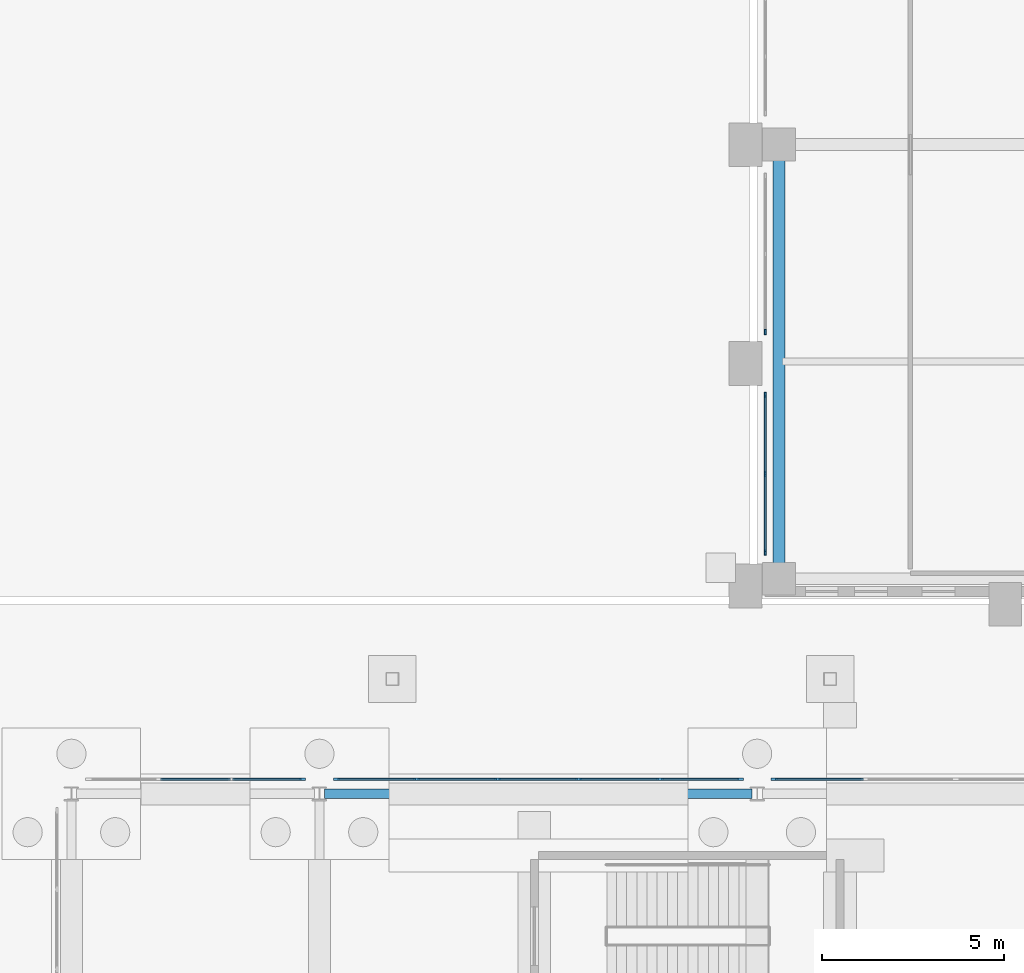
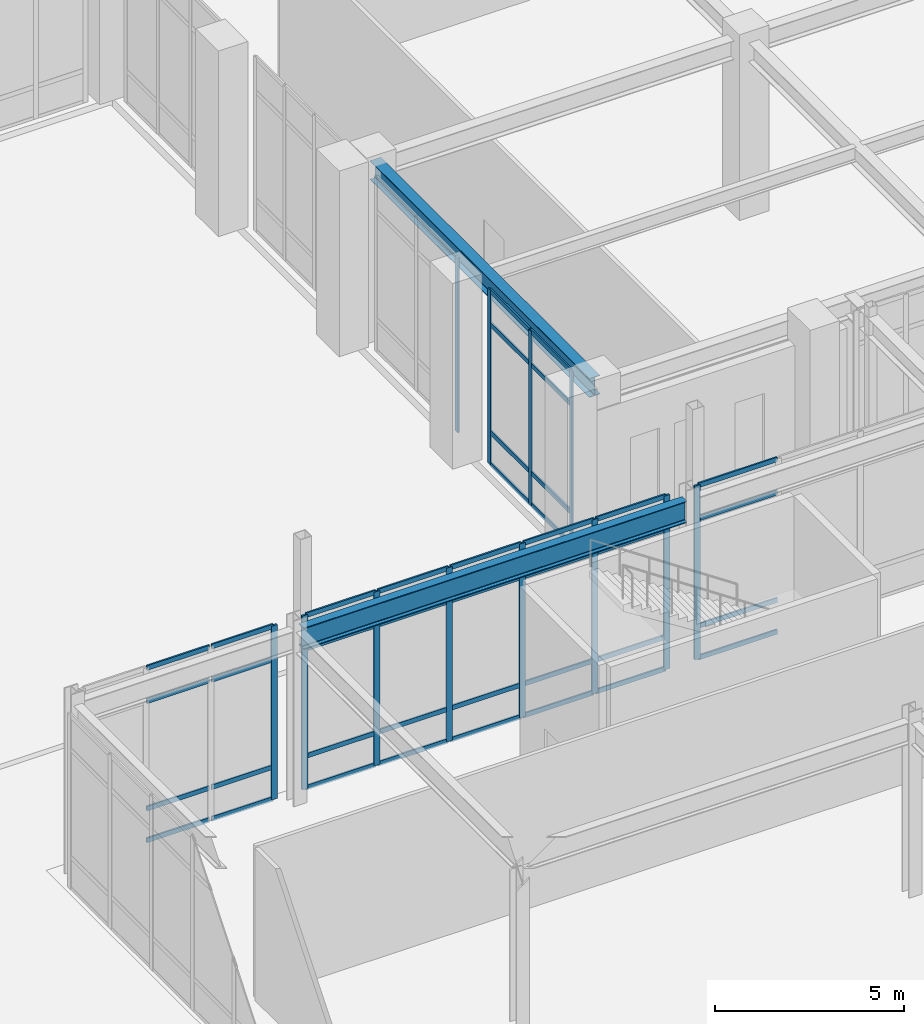
# One storey, part 68 of 143: 52 members, 2 beams, 5 elements without a shape of their own.
"""IFC4 building model written with IfcOpenShell, lengths in metres."""

from ifc_helpers import new_model, si_unit, derived_unit, direction, frame, origin, origin_2d, place, context, subcontext, project, spatial, rectangle, i_section, extrude, material, layer, layer_set, material_profile, profile_set, type_object, element, aggregate, save


model = new_model("IFC4")

# Units and contexts
model_context = context("Model", 3, precision=1e-05, world=origin(), true_north=direction((0.0, 1.0)))
body_context = subcontext(model_context, "Body", "Model", "MODEL_VIEW")
ifc_project = project(units=[si_unit("LENGTHUNIT", "METRE"), si_unit("AREAUNIT", "SQUARE_METRE"), si_unit("VOLUMEUNIT", "CUBIC_METRE"), si_unit("PLANEANGLEUNIT", "RADIAN"), si_unit("MASSUNIT", "GRAM", prefix="KILO"), derived_unit("THERMALTRANSMITTANCEUNIT", [(si_unit("MASSUNIT", "GRAM", prefix="KILO"), 1), (si_unit("TIMEUNIT", "SECOND"), -3), (si_unit("THERMODYNAMICTEMPERATUREUNIT", "KELVIN"), -1)])], contexts=[model_context])

# Site, building, storey
site_placement = place(None, origin())
site = spatial("IfcSite", under=ifc_project, at=site_placement, CompositionType="ELEMENT")
building_placement = place(site_placement, origin())
building = spatial("IfcBuilding", under=site, at=building_placement, Name="Valcora Ridge Arena", CompositionType="ELEMENT")
storey_placement = place(building_placement, origin())
storey = spatial("IfcBuildingStorey", under=building, at=storey_placement, Name="L00", CompositionType="ELEMENT", Elevation=0.0)

# Beams
ifc_material_1 = material(Name="Steel ASTM A572 Grade 50", Category="steel")
ifc_material_profile_1 = material_profile(ifc_material_1, i_section(OverallWidth=0.324951171875, OverallDepth=0.612060546875, WebThickness=0.0126953125, FlangeThickness=0.01904296875, FilletRadius=0.01806640625, at=origin_2d()), Name="W24X104")
ifc_profile_set_1 = profile_set([ifc_material_profile_1], Name="Steel ASTM A572 Grade 50")
beam_type_1 = type_object("IfcBeamType", Name="TY-BEAM-G-W24X104-Y", PredefinedType="BEAM", material=ifc_profile_set_1)
beam_1_placement = place(storey_placement, frame((156.60009765625, 83.840087890625, 5.333984375), z_axis=(0.0, 1.0, 0.0), x_axis=(-1.0, 0.0, 0.0)))
element("IfcBeam", 1, at=beam_1_placement, inside=storey, type_object=beam_type_1, Name="G-W24X104-Y BEM-G-W24X104-Y-0024", PredefinedType="BEAM", context=body_context, shape_type="SweptSolid", body=[
    extrude(i_section(OverallWidth=0.324951171875, OverallDepth=0.612060546875, WebThickness=0.0126953125, FlangeThickness=0.01904296875, FilletRadius=0.01806640625, at=origin_2d()), origin(), (0.0, 0.0, 1.0), 11.619873046875),
])
ifc_material_profile_2 = material_profile(ifc_material_1, i_section(OverallWidth=0.256103515625, OverallDepth=0.693115234375, WebThickness=0.014404296875, FlangeThickness=0.023681640625, FilletRadius=0.02001953125, at=origin_2d()), Name="W27X114")
ifc_profile_set_2 = profile_set([ifc_material_profile_2], Name="Steel ASTM A572 Grade 50")
beam_type_2 = type_object("IfcBeamType", Name="TY-BEAM-SP-W27X114", PredefinedType="SPANDREL", material=ifc_profile_set_2)
beam_2_placement = place(storey_placement, frame((144.139892578125, 77.800048828125, 5.2734375), z_axis=(1.0, 0.0, 0.0), x_axis=(0.0, 1.0, 0.0)))
element("IfcBeam", 2, at=beam_2_placement, inside=storey, type_object=beam_type_2, Name="SP-W27X114 BEM-SP-W27X114-0007", PredefinedType="SPANDREL", context=body_context, shape_type="SweptSolid", body=[
    extrude(i_section(OverallWidth=0.256103515625, OverallDepth=0.693115234375, WebThickness=0.014404296875, FlangeThickness=0.023681640625, FilletRadius=0.02001953125, at=origin_2d()), origin(), (0.0, 0.0, 1.0), 11.72021484375),
])

# Curtain wall, members
ifc_material_2 = material(Name="Anodised dark bronze architectural aluminium 6063-T6", Category="aluminium")
ifc_layer_1 = layer(ifc_material_2, 0.14990234375, Name="Anodised dark bronze architectural aluminium 6063-T6")
ifc_layer_set_1 = layer_set([ifc_layer_1], Name="Anodised dark bronze architectural aluminium 6063-T6")
curtain_wall_type_1 = type_object("IfcCurtainWallType", Name="TY-CURTAINWALL-CW-V5-MED-044X56", PredefinedType="NOTDEFINED", material=ifc_layer_set_1)
curtain_wall_1_placement = place(storey_placement, origin())
curtain_wall_1 = element("IfcCurtainWall", 3, at=curtain_wall_1_placement, inside=storey, type_object=curtain_wall_type_1, Name="CW-V5-MED-044X56 CW-0312", PredefinedType="NOTDEFINED")
ifc_material_profile_3 = material_profile(ifc_material_2, rectangle(XDim=0.050048828125, YDim=0.14990234375, at=origin_2d()), Name="ALU MULLION 50x150")
ifc_profile_set_3 = profile_set([ifc_material_profile_3], Name="Anodised dark bronze architectural aluminium 6063-T6")
member_type_1 = type_object("IfcMemberType", Name="TY-MEM-CWM-50x150", PredefinedType="MULLION", material=ifc_profile_set_3)
member_1_placement = place(storey_placement, frame((156.219970703125, 84.4150390625, 0.0), z_axis=(0.0, 0.0, 1.0), x_axis=(-1.0, 0.0, 0.0)))
member_1 = element("IfcMember", 4, at=member_1_placement, type_object=member_type_1, Name="CW-0312/CWM-50x150/M00", PredefinedType="MULLION", context=body_context, shape_type="SweptSolid", body=[
    extrude(rectangle(XDim=0.050048828125, YDim=0.14990234375, at=origin_2d()), origin(), (0.0, 0.0, 1.0), 5.639892578125),
])
member_2_placement = place(storey_placement, frame((156.219970703125, 86.574951171875, 0.0), z_axis=(0.0, 0.0, 1.0), x_axis=(-1.0, 0.0, 0.0)))
member_2 = element("IfcMember", 5, at=member_2_placement, type_object=member_type_1, Name="CW-0312/CWM-50x150/M01", PredefinedType="MULLION", context=body_context, shape_type="SweptSolid", body=[
    extrude(rectangle(XDim=0.050048828125, YDim=0.14990234375, at=origin_2d()), origin(), (0.0, 0.0, 1.0), 5.639892578125),
])
member_3_placement = place(storey_placement, frame((156.219970703125, 88.735107421875, 0.0), z_axis=(0.0, 0.0, 1.0), x_axis=(-1.0, 0.0, 0.0)))
member_3 = element("IfcMember", 6, at=member_3_placement, type_object=member_type_1, Name="CW-0312/CWM-50x150/M02", PredefinedType="MULLION", context=body_context, shape_type="SweptSolid", body=[
    extrude(rectangle(XDim=0.050048828125, YDim=0.14990234375, at=origin_2d()), origin(), (0.0, 0.0, 1.0), 5.639892578125),
])

# Curtain wall, member
ifc_layer_2 = layer(ifc_material_2, 0.14990234375, Name="Anodised dark bronze architectural aluminium 6063-T6")
ifc_layer_set_2 = layer_set([ifc_layer_2], Name="Anodised dark bronze architectural aluminium 6063-T6")
curtain_wall_type_2 = type_object("IfcCurtainWallType", Name="TY-CURTAINWALL-CW-V5-MED-043X56", PredefinedType="NOTDEFINED", material=ifc_layer_set_2)
curtain_wall_2_placement = place(storey_placement, origin())
curtain_wall_2 = element("IfcCurtainWall", 7, at=curtain_wall_2_placement, inside=storey, type_object=curtain_wall_type_2, Name="CW-V5-MED-043X56 CW-0313", PredefinedType="NOTDEFINED")
member_4_placement = place(storey_placement, frame((156.219970703125, 90.465087890625, 0.0), z_axis=(0.0, 0.0, 1.0), x_axis=(-1.0, 0.0, 0.0)))
member_4 = element("IfcMember", 8, at=member_4_placement, type_object=member_type_1, Name="CW-0313/CWM-50x150/M00", PredefinedType="MULLION", context=body_context, shape_type="SweptSolid", body=[
    extrude(rectangle(XDim=0.050048828125, YDim=0.14990234375, at=origin_2d()), origin(), (0.0, 0.0, 1.0), 5.639892578125),
])
aggregate(curtain_wall_2, [member_4])

ifc_layer_3 = layer(ifc_material_2, 0.179931640625, Name="Anodised dark bronze architectural aluminium 6063-T6")
ifc_layer_set_3 = layer_set([ifc_layer_3], Name="Anodised dark bronze architectural aluminium 6063-T6")
curtain_wall_type_3 = type_object("IfcCurtainWallType", Name="TY-CURTAINWALL-CW-V2-GLAZ-059X56", PredefinedType="NOTDEFINED", material=ifc_layer_set_3)
curtain_wall_3_placement = place(storey_placement, origin())
curtain_wall_3 = element("IfcCurtainWall", 9, at=curtain_wall_3_placement, inside=storey, type_object=curtain_wall_type_3, Name="CW-V2-GLAZ-059X56 CW-0036", PredefinedType="NOTDEFINED")
ifc_material_profile_4 = material_profile(ifc_material_2, rectangle(XDim=0.06005859375, YDim=0.179931640625, at=origin_2d()), Name="ALU MULLION 60x180")
ifc_profile_set_4 = profile_set([ifc_material_profile_4], Name="Anodised dark bronze architectural aluminium 6063-T6")
member_type_2 = type_object("IfcMemberType", Name="TY-MEM-CWM-60x180", PredefinedType="MULLION", material=ifc_profile_set_4)
member_5_placement = place(storey_placement, frame((143.530517578125, 78.199951171875, 0.0), z_axis=(0.0, 0.0, 1.0), x_axis=(0.0, 1.0, 0.0)))
member_5 = element("IfcMember", 10, at=member_5_placement, type_object=member_type_2, Name="CW-0036/CWM-60x180/M03", PredefinedType="MULLION", context=body_context, shape_type="SweptSolid", body=[
    extrude(rectangle(XDim=0.06005859375, YDim=0.179931640625, at=origin_2d()), origin(), (0.0, 0.0, 1.0), 5.6201171875),
])

# Curtain wall, members
ifc_layer_4 = layer(ifc_material_2, 0.179931640625, Name="Anodised dark bronze architectural aluminium 6063-T6")
ifc_layer_set_4 = layer_set([ifc_layer_4], Name="Anodised dark bronze architectural aluminium 6063-T6")
curtain_wall_type_4 = type_object("IfcCurtainWallType", Name="TY-CURTAINWALL-CW-V2-GLAZ-111X56", PredefinedType="NOTDEFINED", material=ifc_layer_set_4)
curtain_wall_4_placement = place(storey_placement, origin())
curtain_wall_4 = element("IfcCurtainWall", 11, at=curtain_wall_4_placement, inside=storey, type_object=curtain_wall_type_4, Name="CW-V2-GLAZ-111X56 CW-0037", PredefinedType="NOTDEFINED")
member_6_placement = place(storey_placement, frame((144.469482421875, 78.199951171875, 0.0), z_axis=(0.0, 0.0, 1.0), x_axis=(0.0, 1.0, 0.0)))
member_6 = element("IfcMember", 12, at=member_6_placement, type_object=member_type_2, Name="CW-0037/CWM-60x180/M00", PredefinedType="MULLION", context=body_context, shape_type="SweptSolid", body=[
    extrude(rectangle(XDim=0.06005859375, YDim=0.179931640625, at=origin_2d()), origin(), (0.0, 0.0, 1.0), 5.6201171875),
])
member_7_placement = place(storey_placement, frame((146.663818359375, 78.199951171875, 0.0), z_axis=(0.0, 0.0, 1.0), x_axis=(0.0, 1.0, 0.0)))
member_7 = element("IfcMember", 13, at=member_7_placement, type_object=member_type_2, Name="CW-0037/CWM-60x180/M01", PredefinedType="MULLION", context=body_context, shape_type="SweptSolid", body=[
    extrude(rectangle(XDim=0.06005859375, YDim=0.179931640625, at=origin_2d()), origin(), (0.0, 0.0, 1.0), 5.6201171875),
])
member_8_placement = place(storey_placement, frame((148.887939453125, 78.199951171875, 0.0), z_axis=(0.0, 0.0, 1.0), x_axis=(0.0, 1.0, 0.0)))
member_8 = element("IfcMember", 14, at=member_8_placement, type_object=member_type_2, Name="CW-0037/CWM-60x180/M02", PredefinedType="MULLION", context=body_context, shape_type="SweptSolid", body=[
    extrude(rectangle(XDim=0.06005859375, YDim=0.179931640625, at=origin_2d()), origin(), (0.0, 0.0, 1.0), 5.6201171875),
])
member_9_placement = place(storey_placement, frame((151.112060546875, 78.199951171875, 0.0), z_axis=(0.0, 0.0, 1.0), x_axis=(0.0, 1.0, 0.0)))
member_9 = element("IfcMember", 15, at=member_9_placement, type_object=member_type_2, Name="CW-0037/CWM-60x180/M03", PredefinedType="MULLION", context=body_context, shape_type="SweptSolid", body=[
    extrude(rectangle(XDim=0.06005859375, YDim=0.179931640625, at=origin_2d()), origin(), (0.0, 0.0, 1.0), 5.6201171875),
])
member_10_placement = place(storey_placement, frame((153.336181640625, 78.199951171875, 0.0), z_axis=(0.0, 0.0, 1.0), x_axis=(0.0, 1.0, 0.0)))
member_10 = element("IfcMember", 16, at=member_10_placement, type_object=member_type_2, Name="CW-0037/CWM-60x180/M04", PredefinedType="MULLION", context=body_context, shape_type="SweptSolid", body=[
    extrude(rectangle(XDim=0.06005859375, YDim=0.179931640625, at=origin_2d()), origin(), (0.0, 0.0, 1.0), 5.6201171875),
])
member_11_placement = place(storey_placement, frame((155.530517578125, 78.199951171875, 0.0), z_axis=(0.0, 0.0, 1.0), x_axis=(0.0, 1.0, 0.0)))
member_11 = element("IfcMember", 17, at=member_11_placement, type_object=member_type_2, Name="CW-0037/CWM-60x180/M05", PredefinedType="MULLION", context=body_context, shape_type="SweptSolid", body=[
    extrude(rectangle(XDim=0.06005859375, YDim=0.179931640625, at=origin_2d()), origin(), (0.0, 0.0, 1.0), 5.6201171875),
])

# Curtain wall, member
ifc_layer_5 = layer(ifc_material_2, 0.179931640625, Name="Anodised dark bronze architectural aluminium 6063-T6")
ifc_layer_set_5 = layer_set([ifc_layer_5], Name="Anodised dark bronze architectural aluminium 6063-T6")
curtain_wall_type_5 = type_object("IfcCurtainWallType", Name="TY-CURTAINWALL-CW-V2-GLAZ-075X56", PredefinedType="NOTDEFINED", material=ifc_layer_set_5)
curtain_wall_5_placement = place(storey_placement, origin())
curtain_wall_5 = element("IfcCurtainWall", 18, at=curtain_wall_5_placement, inside=storey, type_object=curtain_wall_type_5, Name="CW-V2-GLAZ-075X56 CW-0038", PredefinedType="NOTDEFINED")
member_12_placement = place(storey_placement, frame((156.469482421875, 78.199951171875, 0.0), z_axis=(0.0, 0.0, 1.0), x_axis=(0.0, 1.0, 0.0)))
member_12 = element("IfcMember", 19, at=member_12_placement, type_object=member_type_2, Name="CW-0038/CWM-60x180/M00", PredefinedType="MULLION", context=body_context, shape_type="SweptSolid", body=[
    extrude(rectangle(XDim=0.06005859375, YDim=0.179931640625, at=origin_2d()), origin(), (0.0, 0.0, 1.0), 5.6201171875),
])

# Member
ifc_material_profile_5 = material_profile(ifc_material_2, rectangle(XDim=0.050048828125, YDim=0.14990234375, at=origin_2d()), Name="ALU TRANSOM 50x150")
ifc_profile_set_5 = profile_set([ifc_material_profile_5], Name="Anodised dark bronze architectural aluminium 6063-T6")
member_type_3 = type_object("IfcMemberType", Name="TY-MEM-CWT-50x150", PredefinedType="USERDEFINED", material=ifc_profile_set_5)
member_13_placement = place(storey_placement, frame((139.6435546875, 78.199951171875, 0.02490234375), z_axis=(1.0, 0.0, 0.0), x_axis=(0.0, 1.0, 0.0)))
member_13 = element("IfcMember", 20, at=member_13_placement, type_object=member_type_3, Name="CW-0036/CWT-50x150/T01-00", ObjectType="TRANSOM", PredefinedType="USERDEFINED", context=body_context, shape_type="SweptSolid", body=[
    extrude(rectangle(XDim=0.050048828125, YDim=0.14990234375, at=origin_2d()), origin(), (0.0, 0.0, 1.0), 1.912841796875),
])

member_14_placement = place(storey_placement, frame((139.6435546875, 78.199951171875, 1.050048828125), z_axis=(1.0, 0.0, 0.0), x_axis=(0.0, 1.0, 0.0)))
member_14 = element("IfcMember", 21, at=member_14_placement, type_object=member_type_3, Name="CW-0036/CWT-50x150/T01-01", ObjectType="TRANSOM", PredefinedType="USERDEFINED", context=body_context, shape_type="SweptSolid", body=[
    extrude(rectangle(XDim=0.050048828125, YDim=0.14990234375, at=origin_2d()), origin(), (0.0, 0.0, 1.0), 1.912841796875),
])

member_15_placement = place(storey_placement, frame((139.6435546875, 78.199951171875, 4.52001953125), z_axis=(1.0, 0.0, 0.0), x_axis=(0.0, 1.0, 0.0)))
member_15 = element("IfcMember", 22, at=member_15_placement, type_object=member_type_3, Name="CW-0036/CWT-50x150/T01-02", ObjectType="TRANSOM", PredefinedType="USERDEFINED", context=body_context, shape_type="SweptSolid", body=[
    extrude(rectangle(XDim=0.050048828125, YDim=0.14990234375, at=origin_2d()), origin(), (0.0, 0.0, 1.0), 1.912841796875),
])

member_16_placement = place(storey_placement, frame((139.6435546875, 78.199951171875, 5.594970703125), z_axis=(1.0, 0.0, 0.0), x_axis=(0.0, 1.0, 0.0)))
member_16 = element("IfcMember", 23, at=member_16_placement, type_object=member_type_3, Name="CW-0036/CWT-50x150/T01-03", ObjectType="TRANSOM", PredefinedType="USERDEFINED", context=body_context, shape_type="SweptSolid", body=[
    extrude(rectangle(XDim=0.050048828125, YDim=0.14990234375, at=origin_2d()), origin(), (0.0, 0.0, 1.0), 1.912841796875),
])

member_17_placement = place(storey_placement, frame((141.616455078125, 78.199951171875, 0.02490234375), z_axis=(1.0, 0.0, 0.0), x_axis=(0.0, 1.0, 0.0)))
member_17 = element("IfcMember", 24, at=member_17_placement, type_object=member_type_3, Name="CW-0036/CWT-50x150/T02-00", ObjectType="TRANSOM", PredefinedType="USERDEFINED", context=body_context, shape_type="SweptSolid", body=[
    extrude(rectangle(XDim=0.050048828125, YDim=0.14990234375, at=origin_2d()), origin(), (0.0, 0.0, 1.0), 1.884033203125),
])

member_18_placement = place(storey_placement, frame((141.616455078125, 78.199951171875, 1.050048828125), z_axis=(1.0, 0.0, 0.0), x_axis=(0.0, 1.0, 0.0)))
member_18 = element("IfcMember", 25, at=member_18_placement, type_object=member_type_3, Name="CW-0036/CWT-50x150/T02-01", ObjectType="TRANSOM", PredefinedType="USERDEFINED", context=body_context, shape_type="SweptSolid", body=[
    extrude(rectangle(XDim=0.050048828125, YDim=0.14990234375, at=origin_2d()), origin(), (0.0, 0.0, 1.0), 1.884033203125),
])

member_19_placement = place(storey_placement, frame((141.616455078125, 78.199951171875, 4.52001953125), z_axis=(1.0, 0.0, 0.0), x_axis=(0.0, 1.0, 0.0)))
member_19 = element("IfcMember", 26, at=member_19_placement, type_object=member_type_3, Name="CW-0036/CWT-50x150/T02-02", ObjectType="TRANSOM", PredefinedType="USERDEFINED", context=body_context, shape_type="SweptSolid", body=[
    extrude(rectangle(XDim=0.050048828125, YDim=0.14990234375, at=origin_2d()), origin(), (0.0, 0.0, 1.0), 1.884033203125),
])

member_20_placement = place(storey_placement, frame((141.616455078125, 78.199951171875, 5.594970703125), z_axis=(1.0, 0.0, 0.0), x_axis=(0.0, 1.0, 0.0)))
member_20 = element("IfcMember", 27, at=member_20_placement, type_object=member_type_3, Name="CW-0036/CWT-50x150/T02-03", ObjectType="TRANSOM", PredefinedType="USERDEFINED", context=body_context, shape_type="SweptSolid", body=[
    extrude(rectangle(XDim=0.050048828125, YDim=0.14990234375, at=origin_2d()), origin(), (0.0, 0.0, 1.0), 1.884033203125),
])

aggregate(curtain_wall_3, [member_5, member_13, member_14, member_15, member_16, member_17, member_18, member_19, member_20])

member_21_placement = place(storey_placement, frame((144.49951171875, 78.199951171875, 0.02490234375), z_axis=(1.0, 0.0, 0.0), x_axis=(0.0, 1.0, 0.0)))
member_21 = element("IfcMember", 28, at=member_21_placement, type_object=member_type_3, Name="CW-0037/CWT-50x150/T00-00", ObjectType="TRANSOM", PredefinedType="USERDEFINED", context=body_context, shape_type="SweptSolid", body=[
    extrude(rectangle(XDim=0.050048828125, YDim=0.14990234375, at=origin_2d()), origin(), (0.0, 0.0, 1.0), 2.134033203125),
])

member_22_placement = place(storey_placement, frame((144.49951171875, 78.199951171875, 1.050048828125), z_axis=(1.0, 0.0, 0.0), x_axis=(0.0, 1.0, 0.0)))
member_22 = element("IfcMember", 29, at=member_22_placement, type_object=member_type_3, Name="CW-0037/CWT-50x150/T00-01", ObjectType="TRANSOM", PredefinedType="USERDEFINED", context=body_context, shape_type="SweptSolid", body=[
    extrude(rectangle(XDim=0.050048828125, YDim=0.14990234375, at=origin_2d()), origin(), (0.0, 0.0, 1.0), 2.134033203125),
])

member_23_placement = place(storey_placement, frame((144.49951171875, 78.199951171875, 4.52001953125), z_axis=(1.0, 0.0, 0.0), x_axis=(0.0, 1.0, 0.0)))
member_23 = element("IfcMember", 30, at=member_23_placement, type_object=member_type_3, Name="CW-0037/CWT-50x150/T00-02", ObjectType="TRANSOM", PredefinedType="USERDEFINED", context=body_context, shape_type="SweptSolid", body=[
    extrude(rectangle(XDim=0.050048828125, YDim=0.14990234375, at=origin_2d()), origin(), (0.0, 0.0, 1.0), 2.134033203125),
])

member_24_placement = place(storey_placement, frame((144.49951171875, 78.199951171875, 5.594970703125), z_axis=(1.0, 0.0, 0.0), x_axis=(0.0, 1.0, 0.0)))
member_24 = element("IfcMember", 31, at=member_24_placement, type_object=member_type_3, Name="CW-0037/CWT-50x150/T00-03", ObjectType="TRANSOM", PredefinedType="USERDEFINED", context=body_context, shape_type="SweptSolid", body=[
    extrude(rectangle(XDim=0.050048828125, YDim=0.14990234375, at=origin_2d()), origin(), (0.0, 0.0, 1.0), 2.134033203125),
])

member_25_placement = place(storey_placement, frame((146.693603515625, 78.199951171875, 0.02490234375), z_axis=(1.0, 0.0, 0.0), x_axis=(0.0, 1.0, 0.0)))
member_25 = element("IfcMember", 32, at=member_25_placement, type_object=member_type_3, Name="CW-0037/CWT-50x150/T01-00", ObjectType="TRANSOM", PredefinedType="USERDEFINED", context=body_context, shape_type="SweptSolid", body=[
    extrude(rectangle(XDim=0.050048828125, YDim=0.14990234375, at=origin_2d()), origin(), (0.0, 0.0, 1.0), 2.163818359375),
])

member_26_placement = place(storey_placement, frame((146.693603515625, 78.199951171875, 1.050048828125), z_axis=(1.0, 0.0, 0.0), x_axis=(0.0, 1.0, 0.0)))
member_26 = element("IfcMember", 33, at=member_26_placement, type_object=member_type_3, Name="CW-0037/CWT-50x150/T01-01", ObjectType="TRANSOM", PredefinedType="USERDEFINED", context=body_context, shape_type="SweptSolid", body=[
    extrude(rectangle(XDim=0.050048828125, YDim=0.14990234375, at=origin_2d()), origin(), (0.0, 0.0, 1.0), 2.163818359375),
])

member_27_placement = place(storey_placement, frame((146.693603515625, 78.199951171875, 4.52001953125), z_axis=(1.0, 0.0, 0.0), x_axis=(0.0, 1.0, 0.0)))
member_27 = element("IfcMember", 34, at=member_27_placement, type_object=member_type_3, Name="CW-0037/CWT-50x150/T01-02", ObjectType="TRANSOM", PredefinedType="USERDEFINED", context=body_context, shape_type="SweptSolid", body=[
    extrude(rectangle(XDim=0.050048828125, YDim=0.14990234375, at=origin_2d()), origin(), (0.0, 0.0, 1.0), 2.163818359375),
])

member_28_placement = place(storey_placement, frame((146.693603515625, 78.199951171875, 5.594970703125), z_axis=(1.0, 0.0, 0.0), x_axis=(0.0, 1.0, 0.0)))
member_28 = element("IfcMember", 35, at=member_28_placement, type_object=member_type_3, Name="CW-0037/CWT-50x150/T01-03", ObjectType="TRANSOM", PredefinedType="USERDEFINED", context=body_context, shape_type="SweptSolid", body=[
    extrude(rectangle(XDim=0.050048828125, YDim=0.14990234375, at=origin_2d()), origin(), (0.0, 0.0, 1.0), 2.163818359375),
])

member_29_placement = place(storey_placement, frame((148.91748046875, 78.199951171875, 0.02490234375), z_axis=(1.0, 0.0, 0.0), x_axis=(0.0, 1.0, 0.0)))
member_29 = element("IfcMember", 36, at=member_29_placement, type_object=member_type_3, Name="CW-0037/CWT-50x150/T02-00", ObjectType="TRANSOM", PredefinedType="USERDEFINED", context=body_context, shape_type="SweptSolid", body=[
    extrude(rectangle(XDim=0.050048828125, YDim=0.14990234375, at=origin_2d()), origin(), (0.0, 0.0, 1.0), 2.1650390625),
])

member_30_placement = place(storey_placement, frame((148.91748046875, 78.199951171875, 1.050048828125), z_axis=(1.0, 0.0, 0.0), x_axis=(0.0, 1.0, 0.0)))
member_30 = element("IfcMember", 37, at=member_30_placement, type_object=member_type_3, Name="CW-0037/CWT-50x150/T02-01", ObjectType="TRANSOM", PredefinedType="USERDEFINED", context=body_context, shape_type="SweptSolid", body=[
    extrude(rectangle(XDim=0.050048828125, YDim=0.14990234375, at=origin_2d()), origin(), (0.0, 0.0, 1.0), 2.1650390625),
])

member_31_placement = place(storey_placement, frame((148.91748046875, 78.199951171875, 4.52001953125), z_axis=(1.0, 0.0, 0.0), x_axis=(0.0, 1.0, 0.0)))
member_31 = element("IfcMember", 38, at=member_31_placement, type_object=member_type_3, Name="CW-0037/CWT-50x150/T02-02", ObjectType="TRANSOM", PredefinedType="USERDEFINED", context=body_context, shape_type="SweptSolid", body=[
    extrude(rectangle(XDim=0.050048828125, YDim=0.14990234375, at=origin_2d()), origin(), (0.0, 0.0, 1.0), 2.1650390625),
])

member_32_placement = place(storey_placement, frame((148.91748046875, 78.199951171875, 5.594970703125), z_axis=(1.0, 0.0, 0.0), x_axis=(0.0, 1.0, 0.0)))
member_32 = element("IfcMember", 39, at=member_32_placement, type_object=member_type_3, Name="CW-0037/CWT-50x150/T02-03", ObjectType="TRANSOM", PredefinedType="USERDEFINED", context=body_context, shape_type="SweptSolid", body=[
    extrude(rectangle(XDim=0.050048828125, YDim=0.14990234375, at=origin_2d()), origin(), (0.0, 0.0, 1.0), 2.1650390625),
])

member_33_placement = place(storey_placement, frame((151.142578125, 78.199951171875, 0.02490234375), z_axis=(1.0, 0.0, 0.0), x_axis=(0.0, 1.0, 0.0)))
member_33 = element("IfcMember", 40, at=member_33_placement, type_object=member_type_3, Name="CW-0037/CWT-50x150/T03-00", ObjectType="TRANSOM", PredefinedType="USERDEFINED", context=body_context, shape_type="SweptSolid", body=[
    extrude(rectangle(XDim=0.050048828125, YDim=0.14990234375, at=origin_2d()), origin(), (0.0, 0.0, 1.0), 2.163818359375),
])

member_34_placement = place(storey_placement, frame((151.142578125, 78.199951171875, 1.050048828125), z_axis=(1.0, 0.0, 0.0), x_axis=(0.0, 1.0, 0.0)))
member_34 = element("IfcMember", 41, at=member_34_placement, type_object=member_type_3, Name="CW-0037/CWT-50x150/T03-01", ObjectType="TRANSOM", PredefinedType="USERDEFINED", context=body_context, shape_type="SweptSolid", body=[
    extrude(rectangle(XDim=0.050048828125, YDim=0.14990234375, at=origin_2d()), origin(), (0.0, 0.0, 1.0), 2.163818359375),
])

member_35_placement = place(storey_placement, frame((151.142578125, 78.199951171875, 4.52001953125), z_axis=(1.0, 0.0, 0.0), x_axis=(0.0, 1.0, 0.0)))
member_35 = element("IfcMember", 42, at=member_35_placement, type_object=member_type_3, Name="CW-0037/CWT-50x150/T03-02", ObjectType="TRANSOM", PredefinedType="USERDEFINED", context=body_context, shape_type="SweptSolid", body=[
    extrude(rectangle(XDim=0.050048828125, YDim=0.14990234375, at=origin_2d()), origin(), (0.0, 0.0, 1.0), 2.163818359375),
])

member_36_placement = place(storey_placement, frame((151.142578125, 78.199951171875, 5.594970703125), z_axis=(1.0, 0.0, 0.0), x_axis=(0.0, 1.0, 0.0)))
member_36 = element("IfcMember", 43, at=member_36_placement, type_object=member_type_3, Name="CW-0037/CWT-50x150/T03-03", ObjectType="TRANSOM", PredefinedType="USERDEFINED", context=body_context, shape_type="SweptSolid", body=[
    extrude(rectangle(XDim=0.050048828125, YDim=0.14990234375, at=origin_2d()), origin(), (0.0, 0.0, 1.0), 2.163818359375),
])

member_37_placement = place(storey_placement, frame((153.366455078125, 78.199951171875, 0.02490234375), z_axis=(1.0, 0.0, 0.0), x_axis=(0.0, 1.0, 0.0)))
member_37 = element("IfcMember", 44, at=member_37_placement, type_object=member_type_3, Name="CW-0037/CWT-50x150/T04-00", ObjectType="TRANSOM", PredefinedType="USERDEFINED", context=body_context, shape_type="SweptSolid", body=[
    extrude(rectangle(XDim=0.050048828125, YDim=0.14990234375, at=origin_2d()), origin(), (0.0, 0.0, 1.0), 2.134033203125),
])

member_38_placement = place(storey_placement, frame((153.366455078125, 78.199951171875, 1.050048828125), z_axis=(1.0, 0.0, 0.0), x_axis=(0.0, 1.0, 0.0)))
member_38 = element("IfcMember", 45, at=member_38_placement, type_object=member_type_3, Name="CW-0037/CWT-50x150/T04-01", ObjectType="TRANSOM", PredefinedType="USERDEFINED", context=body_context, shape_type="SweptSolid", body=[
    extrude(rectangle(XDim=0.050048828125, YDim=0.14990234375, at=origin_2d()), origin(), (0.0, 0.0, 1.0), 2.134033203125),
])

member_39_placement = place(storey_placement, frame((153.366455078125, 78.199951171875, 4.52001953125), z_axis=(1.0, 0.0, 0.0), x_axis=(0.0, 1.0, 0.0)))
member_39 = element("IfcMember", 46, at=member_39_placement, type_object=member_type_3, Name="CW-0037/CWT-50x150/T04-02", ObjectType="TRANSOM", PredefinedType="USERDEFINED", context=body_context, shape_type="SweptSolid", body=[
    extrude(rectangle(XDim=0.050048828125, YDim=0.14990234375, at=origin_2d()), origin(), (0.0, 0.0, 1.0), 2.134033203125),
])

member_40_placement = place(storey_placement, frame((153.366455078125, 78.199951171875, 5.594970703125), z_axis=(1.0, 0.0, 0.0), x_axis=(0.0, 1.0, 0.0)))
member_40 = element("IfcMember", 47, at=member_40_placement, type_object=member_type_3, Name="CW-0037/CWT-50x150/T04-03", ObjectType="TRANSOM", PredefinedType="USERDEFINED", context=body_context, shape_type="SweptSolid", body=[
    extrude(rectangle(XDim=0.050048828125, YDim=0.14990234375, at=origin_2d()), origin(), (0.0, 0.0, 1.0), 2.134033203125),
])

aggregate(curtain_wall_4, [member_6, member_7, member_8, member_9, member_10, member_11, member_21, member_22, member_23, member_24, member_25, member_26, member_27, member_28, member_29, member_30, member_31, member_32, member_33, member_34, member_35, member_36, member_37, member_38, member_39, member_40])

member_41_placement = place(storey_placement, frame((156.49951171875, 78.199951171875, 0.02490234375), z_axis=(1.0, 0.0, 0.0), x_axis=(0.0, 1.0, 0.0)))
member_41 = element("IfcMember", 48, at=member_41_placement, type_object=member_type_3, Name="CW-0038/CWT-50x150/T00-00", ObjectType="TRANSOM", PredefinedType="USERDEFINED", context=body_context, shape_type="SweptSolid", body=[
    extrude(rectangle(XDim=0.050048828125, YDim=0.14990234375, at=origin_2d()), origin(), (0.0, 0.0, 1.0), 2.4140625),
])

member_42_placement = place(storey_placement, frame((156.49951171875, 78.199951171875, 1.050048828125), z_axis=(1.0, 0.0, 0.0), x_axis=(0.0, 1.0, 0.0)))
member_42 = element("IfcMember", 49, at=member_42_placement, type_object=member_type_3, Name="CW-0038/CWT-50x150/T00-01", ObjectType="TRANSOM", PredefinedType="USERDEFINED", context=body_context, shape_type="SweptSolid", body=[
    extrude(rectangle(XDim=0.050048828125, YDim=0.14990234375, at=origin_2d()), origin(), (0.0, 0.0, 1.0), 2.4140625),
])

member_43_placement = place(storey_placement, frame((156.49951171875, 78.199951171875, 4.52001953125), z_axis=(1.0, 0.0, 0.0), x_axis=(0.0, 1.0, 0.0)))
member_43 = element("IfcMember", 50, at=member_43_placement, type_object=member_type_3, Name="CW-0038/CWT-50x150/T00-02", ObjectType="TRANSOM", PredefinedType="USERDEFINED", context=body_context, shape_type="SweptSolid", body=[
    extrude(rectangle(XDim=0.050048828125, YDim=0.14990234375, at=origin_2d()), origin(), (0.0, 0.0, 1.0), 2.4140625),
])

member_44_placement = place(storey_placement, frame((156.49951171875, 78.199951171875, 5.594970703125), z_axis=(1.0, 0.0, 0.0), x_axis=(0.0, 1.0, 0.0)))
member_44 = element("IfcMember", 51, at=member_44_placement, type_object=member_type_3, Name="CW-0038/CWT-50x150/T00-03", ObjectType="TRANSOM", PredefinedType="USERDEFINED", context=body_context, shape_type="SweptSolid", body=[
    extrude(rectangle(XDim=0.050048828125, YDim=0.14990234375, at=origin_2d()), origin(), (0.0, 0.0, 1.0), 2.4140625),
])

aggregate(curtain_wall_5, [member_12, member_41, member_42, member_43, member_44])

member_45_placement = place(storey_placement, frame((156.219970703125, 84.43994140625, 0.02490234375), z_axis=(0.0, 1.0, 0.0), x_axis=(-1.0, 0.0, 0.0)))
member_45 = element("IfcMember", 52, at=member_45_placement, type_object=member_type_3, Name="CW-0312/CWT-50x150/T00-00", ObjectType="TRANSOM", PredefinedType="USERDEFINED", context=body_context, shape_type="SweptSolid", body=[
    extrude(rectangle(XDim=0.050048828125, YDim=0.14990234375, at=origin_2d()), origin(), (0.0, 0.0, 1.0), 2.110107421875),
])

member_46_placement = place(storey_placement, frame((156.219970703125, 84.43994140625, 1.050048828125), z_axis=(0.0, 1.0, 0.0), x_axis=(-1.0, 0.0, 0.0)))
member_46 = element("IfcMember", 53, at=member_46_placement, type_object=member_type_3, Name="CW-0312/CWT-50x150/T00-01", ObjectType="TRANSOM", PredefinedType="USERDEFINED", context=body_context, shape_type="SweptSolid", body=[
    extrude(rectangle(XDim=0.050048828125, YDim=0.14990234375, at=origin_2d()), origin(), (0.0, 0.0, 1.0), 2.110107421875),
])

member_47_placement = place(storey_placement, frame((156.219970703125, 84.43994140625, 4.5400390625), z_axis=(0.0, 1.0, 0.0), x_axis=(-1.0, 0.0, 0.0)))
member_47 = element("IfcMember", 54, at=member_47_placement, type_object=member_type_3, Name="CW-0312/CWT-50x150/T00-02", ObjectType="TRANSOM", PredefinedType="USERDEFINED", context=body_context, shape_type="SweptSolid", body=[
    extrude(rectangle(XDim=0.050048828125, YDim=0.14990234375, at=origin_2d()), origin(), (0.0, 0.0, 1.0), 2.110107421875),
])

member_48_placement = place(storey_placement, frame((156.219970703125, 84.43994140625, 5.614990234375), z_axis=(0.0, 1.0, 0.0), x_axis=(-1.0, 0.0, 0.0)))
member_48 = element("IfcMember", 55, at=member_48_placement, type_object=member_type_3, Name="CW-0312/CWT-50x150/T00-03", ObjectType="TRANSOM", PredefinedType="USERDEFINED", context=body_context, shape_type="SweptSolid", body=[
    extrude(rectangle(XDim=0.050048828125, YDim=0.14990234375, at=origin_2d()), origin(), (0.0, 0.0, 1.0), 2.110107421875),
])

member_49_placement = place(storey_placement, frame((156.219970703125, 86.60009765625, 0.02490234375), z_axis=(0.0, 1.0, 0.0), x_axis=(-1.0, 0.0, 0.0)))
member_49 = element("IfcMember", 56, at=member_49_placement, type_object=member_type_3, Name="CW-0312/CWT-50x150/T01-00", ObjectType="TRANSOM", PredefinedType="USERDEFINED", context=body_context, shape_type="SweptSolid", body=[
    extrude(rectangle(XDim=0.050048828125, YDim=0.14990234375, at=origin_2d()), origin(), (0.0, 0.0, 1.0), 2.10986328125),
])

member_50_placement = place(storey_placement, frame((156.219970703125, 86.60009765625, 1.050048828125), z_axis=(0.0, 1.0, 0.0), x_axis=(-1.0, 0.0, 0.0)))
member_50 = element("IfcMember", 57, at=member_50_placement, type_object=member_type_3, Name="CW-0312/CWT-50x150/T01-01", ObjectType="TRANSOM", PredefinedType="USERDEFINED", context=body_context, shape_type="SweptSolid", body=[
    extrude(rectangle(XDim=0.050048828125, YDim=0.14990234375, at=origin_2d()), origin(), (0.0, 0.0, 1.0), 2.10986328125),
])

member_51_placement = place(storey_placement, frame((156.219970703125, 86.60009765625, 4.5400390625), z_axis=(0.0, 1.0, 0.0), x_axis=(-1.0, 0.0, 0.0)))
member_51 = element("IfcMember", 58, at=member_51_placement, type_object=member_type_3, Name="CW-0312/CWT-50x150/T01-02", ObjectType="TRANSOM", PredefinedType="USERDEFINED", context=body_context, shape_type="SweptSolid", body=[
    extrude(rectangle(XDim=0.050048828125, YDim=0.14990234375, at=origin_2d()), origin(), (0.0, 0.0, 1.0), 2.10986328125),
])

member_52_placement = place(storey_placement, frame((156.219970703125, 86.60009765625, 5.614990234375), z_axis=(0.0, 1.0, 0.0), x_axis=(-1.0, 0.0, 0.0)))
member_52 = element("IfcMember", 59, at=member_52_placement, type_object=member_type_3, Name="CW-0312/CWT-50x150/T01-03", ObjectType="TRANSOM", PredefinedType="USERDEFINED", context=body_context, shape_type="SweptSolid", body=[
    extrude(rectangle(XDim=0.050048828125, YDim=0.14990234375, at=origin_2d()), origin(), (0.0, 0.0, 1.0), 2.10986328125),
])

aggregate(curtain_wall_1, [member_1, member_2, member_3, member_45, member_46, member_47, member_48, member_49, member_50, member_51, member_52])

save(model, "model.ifc")
